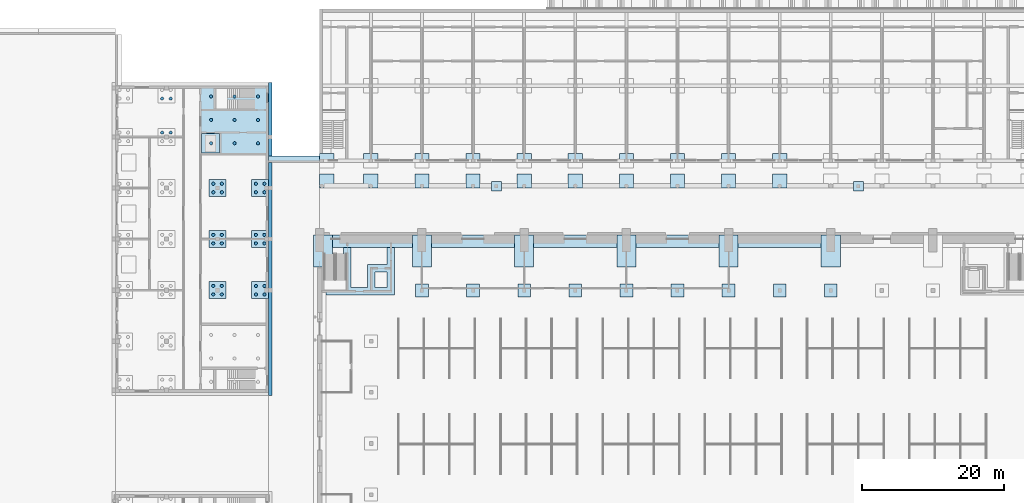
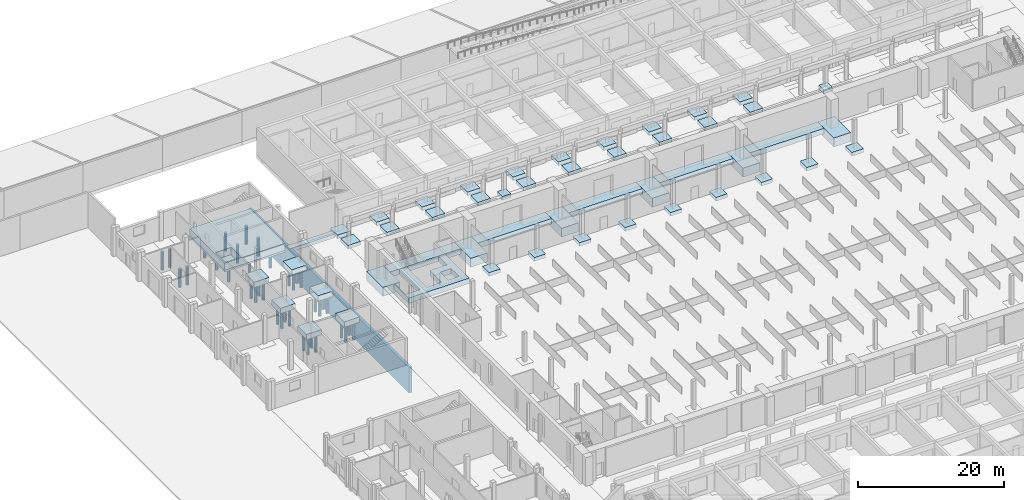
# One storey, part 5 of 73: 53 footings, 37 piles.
"""IFC4 building model written with IfcOpenShell, lengths in metres."""

from ifc_helpers import new_model, si_unit, direction, frame, origin, origin_2d, place, context, subcontext, project, spatial, polyline, rectangle, circle, outline, extrude, material, layer, layer_set, material_profile, profile_set, type_object, element, save


model = new_model("IFC4")

# Units and contexts
model_context = context("Model", 3, precision=1e-05, world=origin(), true_north=direction((0.0, 1.0)))
body_context = subcontext(model_context, "Body", "Model", "MODEL_VIEW")
ifc_project = project(units=[si_unit("LENGTHUNIT", "METRE"), si_unit("AREAUNIT", "SQUARE_METRE"), si_unit("VOLUMEUNIT", "CUBIC_METRE"), si_unit("PLANEANGLEUNIT", "RADIAN"), si_unit("MASSUNIT", "GRAM", prefix="KILO")], contexts=[model_context])

# Site, building, storey
site_placement = place(None, origin())
site = spatial("IfcSite", under=ifc_project, at=site_placement, CompositionType="ELEMENT")
building_placement = place(site_placement, origin())
building = spatial("IfcBuilding", under=site, at=building_placement, Name="Alderwick Market Hall", CompositionType="ELEMENT")
storey_placement = place(building_placement, origin())
storey = spatial("IfcBuildingStorey", under=building, at=storey_placement, Name="LG", CompositionType="ELEMENT", Elevation=0.0)

# Footings
ifc_material_1 = material(Name="Concrete 4000 psi (f'c 28 MPa)", Category="concrete")
footing_type_1 = type_object("IfcFootingType", Name="A Pad Footing 2000x2000x600", PredefinedType="PAD_FOOTING", material=ifc_material_1)
footing_1_placement = place(storey_placement, frame((0.0, 0.0, -0.60009765625)))
element("IfcFooting", 1, at=footing_1_placement, inside=storey, type_object=footing_type_1, Name="A.N.pad.F00", PredefinedType="PAD_FOOTING", context=body_context, shape_type="SweptSolid", body=[
    extrude(outline(polyline([(50.39990234375, 118.050048828125), (52.39990234375, 118.050048828125), (52.39990234375, 120.050048828125), (50.39990234375, 120.050048828125), (50.39990234375, 118.050048828125)])), origin(), (0.0, 0.0, 1.0), 0.60009765625),
])
footing_2_placement = place(storey_placement, frame((0.0, 0.0, -0.60009765625)))
element("IfcFooting", 2, at=footing_2_placement, inside=storey, type_object=footing_type_1, Name="A.N.pad.F01", PredefinedType="PAD_FOOTING", context=body_context, shape_type="SweptSolid", body=[
    extrude(outline(polyline([(56.60009765625, 118.050048828125), (58.60009765625, 118.050048828125), (58.60009765625, 120.050048828125), (56.60009765625, 120.050048828125), (56.60009765625, 118.050048828125)])), origin(), (0.0, 0.0, 1.0), 0.60009765625),
])
footing_3_placement = place(storey_placement, frame((0.0, 0.0, -0.60009765625)))
element("IfcFooting", 3, at=footing_3_placement, inside=storey, type_object=footing_type_1, Name="A.N.pad.F02", PredefinedType="PAD_FOOTING", context=body_context, shape_type="SweptSolid", body=[
    extrude(outline(polyline([(63.800048828125, 118.050048828125), (65.800048828125, 118.050048828125), (65.800048828125, 120.050048828125), (63.800048828125, 120.050048828125), (63.800048828125, 118.050048828125)])), origin(), (0.0, 0.0, 1.0), 0.60009765625),
])
footing_4_placement = place(storey_placement, frame((0.0, 0.0, -0.60009765625)))
element("IfcFooting", 4, at=footing_4_placement, inside=storey, type_object=footing_type_1, Name="A.N.pad.F03", PredefinedType="PAD_FOOTING", context=body_context, shape_type="SweptSolid", body=[
    extrude(outline(polyline([(71.0, 118.050048828125), (73.0, 118.050048828125), (73.0, 120.050048828125), (71.0, 120.050048828125), (71.0, 118.050048828125)])), origin(), (0.0, 0.0, 1.0), 0.60009765625),
])
footing_5_placement = place(storey_placement, frame((0.0, 0.0, -0.60009765625)))
element("IfcFooting", 5, at=footing_5_placement, inside=storey, type_object=footing_type_1, Name="A.N.pad.F04", PredefinedType="PAD_FOOTING", context=body_context, shape_type="SweptSolid", body=[
    extrude(outline(polyline([(78.199951171875, 118.050048828125), (80.199951171875, 118.050048828125), (80.199951171875, 120.050048828125), (78.199951171875, 120.050048828125), (78.199951171875, 118.050048828125)])), origin(), (0.0, 0.0, 1.0), 0.60009765625),
])
footing_6_placement = place(storey_placement, frame((0.0, 0.0, -0.60009765625)))
element("IfcFooting", 6, at=footing_6_placement, inside=storey, type_object=footing_type_1, Name="A.N.pad.F05", PredefinedType="PAD_FOOTING", context=body_context, shape_type="SweptSolid", body=[
    extrude(outline(polyline([(85.39990234375, 118.050048828125), (87.39990234375, 118.050048828125), (87.39990234375, 120.050048828125), (85.39990234375, 120.050048828125), (85.39990234375, 118.050048828125)])), origin(), (0.0, 0.0, 1.0), 0.60009765625),
])
footing_7_placement = place(storey_placement, frame((0.0, 0.0, -0.60009765625)))
element("IfcFooting", 7, at=footing_7_placement, inside=storey, type_object=footing_type_1, Name="A.N.pad.F06", PredefinedType="PAD_FOOTING", context=body_context, shape_type="SweptSolid", body=[
    extrude(outline(polyline([(92.60009765625, 118.050048828125), (94.60009765625, 118.050048828125), (94.60009765625, 120.050048828125), (92.60009765625, 120.050048828125), (92.60009765625, 118.050048828125)])), origin(), (0.0, 0.0, 1.0), 0.60009765625),
])
footing_8_placement = place(storey_placement, frame((0.0, 0.0, -0.60009765625)))
element("IfcFooting", 8, at=footing_8_placement, inside=storey, type_object=footing_type_1, Name="A.N.pad.F07", PredefinedType="PAD_FOOTING", context=body_context, shape_type="SweptSolid", body=[
    extrude(outline(polyline([(99.800048828125, 118.050048828125), (101.800048828125, 118.050048828125), (101.800048828125, 120.050048828125), (99.800048828125, 120.050048828125), (99.800048828125, 118.050048828125)])), origin(), (0.0, 0.0, 1.0), 0.60009765625),
])
footing_9_placement = place(storey_placement, frame((0.0, 0.0, -0.60009765625)))
element("IfcFooting", 9, at=footing_9_placement, inside=storey, type_object=footing_type_1, Name="A.N.pad.F08", PredefinedType="PAD_FOOTING", context=body_context, shape_type="SweptSolid", body=[
    extrude(outline(polyline([(107.0, 118.050048828125), (109.0, 118.050048828125), (109.0, 120.050048828125), (107.0, 120.050048828125), (107.0, 118.050048828125)])), origin(), (0.0, 0.0, 1.0), 0.60009765625),
])
footing_10_placement = place(storey_placement, frame((0.0, 0.0, -0.60009765625)))
element("IfcFooting", 10, at=footing_10_placement, inside=storey, type_object=footing_type_1, Name="A.N.pad.F09", PredefinedType="PAD_FOOTING", context=body_context, shape_type="SweptSolid", body=[
    extrude(outline(polyline([(114.199951171875, 118.050048828125), (116.199951171875, 118.050048828125), (116.199951171875, 120.050048828125), (114.199951171875, 120.050048828125), (114.199951171875, 118.050048828125)])), origin(), (0.0, 0.0, 1.0), 0.60009765625),
])
footing_11_placement = place(storey_placement, frame((0.0, 0.0, -0.60009765625)))
element("IfcFooting", 11, at=footing_11_placement, inside=storey, type_object=footing_type_1, Name="A.N.pad.C00", PredefinedType="PAD_FOOTING", context=body_context, shape_type="SweptSolid", body=[
    extrude(outline(polyline([(50.39990234375, 115.199951171875), (52.39990234375, 115.199951171875), (52.39990234375, 117.199951171875), (50.39990234375, 117.199951171875), (50.39990234375, 115.199951171875)])), origin(), (0.0, 0.0, 1.0), 0.60009765625),
])
footing_12_placement = place(storey_placement, frame((0.0, 0.0, -0.60009765625)))
element("IfcFooting", 12, at=footing_12_placement, inside=storey, type_object=footing_type_1, Name="A.N.pad.C01", PredefinedType="PAD_FOOTING", context=body_context, shape_type="SweptSolid", body=[
    extrude(outline(polyline([(56.60009765625, 115.199951171875), (58.60009765625, 115.199951171875), (58.60009765625, 117.199951171875), (56.60009765625, 117.199951171875), (56.60009765625, 115.199951171875)])), origin(), (0.0, 0.0, 1.0), 0.60009765625),
])
footing_13_placement = place(storey_placement, frame((0.0, 0.0, -0.60009765625)))
element("IfcFooting", 13, at=footing_13_placement, inside=storey, type_object=footing_type_1, Name="A.N.pad.C02", PredefinedType="PAD_FOOTING", context=body_context, shape_type="SweptSolid", body=[
    extrude(outline(polyline([(63.800048828125, 115.199951171875), (65.800048828125, 115.199951171875), (65.800048828125, 117.199951171875), (63.800048828125, 117.199951171875), (63.800048828125, 115.199951171875)])), origin(), (0.0, 0.0, 1.0), 0.60009765625),
])
footing_14_placement = place(storey_placement, frame((0.0, 0.0, -0.60009765625)))
element("IfcFooting", 14, at=footing_14_placement, inside=storey, type_object=footing_type_1, Name="A.N.pad.C03", PredefinedType="PAD_FOOTING", context=body_context, shape_type="SweptSolid", body=[
    extrude(outline(polyline([(71.0, 115.199951171875), (73.0, 115.199951171875), (73.0, 117.199951171875), (71.0, 117.199951171875), (71.0, 115.199951171875)])), origin(), (0.0, 0.0, 1.0), 0.60009765625),
])
footing_15_placement = place(storey_placement, frame((0.0, 0.0, -0.60009765625)))
element("IfcFooting", 15, at=footing_15_placement, inside=storey, type_object=footing_type_1, Name="A.N.pad.C04", PredefinedType="PAD_FOOTING", context=body_context, shape_type="SweptSolid", body=[
    extrude(outline(polyline([(78.199951171875, 115.199951171875), (80.199951171875, 115.199951171875), (80.199951171875, 117.199951171875), (78.199951171875, 117.199951171875), (78.199951171875, 115.199951171875)])), origin(), (0.0, 0.0, 1.0), 0.60009765625),
])
footing_16_placement = place(storey_placement, frame((0.0, 0.0, -0.60009765625)))
element("IfcFooting", 16, at=footing_16_placement, inside=storey, type_object=footing_type_1, Name="A.N.pad.C05", PredefinedType="PAD_FOOTING", context=body_context, shape_type="SweptSolid", body=[
    extrude(outline(polyline([(85.39990234375, 115.199951171875), (87.39990234375, 115.199951171875), (87.39990234375, 117.199951171875), (85.39990234375, 117.199951171875), (85.39990234375, 115.199951171875)])), origin(), (0.0, 0.0, 1.0), 0.60009765625),
])
footing_17_placement = place(storey_placement, frame((0.0, 0.0, -0.60009765625)))
element("IfcFooting", 17, at=footing_17_placement, inside=storey, type_object=footing_type_1, Name="A.N.pad.C06", PredefinedType="PAD_FOOTING", context=body_context, shape_type="SweptSolid", body=[
    extrude(outline(polyline([(92.60009765625, 115.199951171875), (94.60009765625, 115.199951171875), (94.60009765625, 117.199951171875), (92.60009765625, 117.199951171875), (92.60009765625, 115.199951171875)])), origin(), (0.0, 0.0, 1.0), 0.60009765625),
])
footing_18_placement = place(storey_placement, frame((0.0, 0.0, -0.60009765625)))
element("IfcFooting", 18, at=footing_18_placement, inside=storey, type_object=footing_type_1, Name="A.N.pad.C07", PredefinedType="PAD_FOOTING", context=body_context, shape_type="SweptSolid", body=[
    extrude(outline(polyline([(99.800048828125, 115.199951171875), (101.800048828125, 115.199951171875), (101.800048828125, 117.199951171875), (99.800048828125, 117.199951171875), (99.800048828125, 115.199951171875)])), origin(), (0.0, 0.0, 1.0), 0.60009765625),
])
footing_19_placement = place(storey_placement, frame((0.0, 0.0, -0.60009765625)))
element("IfcFooting", 19, at=footing_19_placement, inside=storey, type_object=footing_type_1, Name="A.N.pad.C08", PredefinedType="PAD_FOOTING", context=body_context, shape_type="SweptSolid", body=[
    extrude(outline(polyline([(107.0, 115.199951171875), (109.0, 115.199951171875), (109.0, 117.199951171875), (107.0, 117.199951171875), (107.0, 115.199951171875)])), origin(), (0.0, 0.0, 1.0), 0.60009765625),
])
footing_20_placement = place(storey_placement, frame((0.0, 0.0, -0.60009765625)))
element("IfcFooting", 20, at=footing_20_placement, inside=storey, type_object=footing_type_1, Name="A.N.pad.C09", PredefinedType="PAD_FOOTING", context=body_context, shape_type="SweptSolid", body=[
    extrude(outline(polyline([(114.199951171875, 115.199951171875), (116.199951171875, 115.199951171875), (116.199951171875, 117.199951171875), (114.199951171875, 117.199951171875), (114.199951171875, 115.199951171875)])), origin(), (0.0, 0.0, 1.0), 0.60009765625),
])

# Piles
ifc_material_2 = material(Name="Concrete 5000 psi (f'c 35 MPa)", Category="concrete")
ifc_material_profile = material_profile(ifc_material_2, circle(Radius=0.22509765625, at=origin_2d()), Name="B Bored Pile D450")
ifc_profile_set = profile_set([ifc_material_profile], Name="Concrete 5000 psi (f'c 35 MPa)")
pile_type = type_object("IfcPileType", Name="B Bored Pile D450", PredefinedType="BORED", material=ifc_profile_set)
for number, where, z_axis, x_axis, name in (
    (21, (28.199951171875, 127.800048828125, -0.824951171875), (0.0, 0.0, -1.0), (1.0, 0.0, 0.0), "B.N.cap.072-003.pile1"),
    (22, (29.39990234375, 127.800048828125, -0.824951171875), (0.0, 0.0, -1.0), (1.0, 0.0, 0.0), "B.N.cap.072-003.pile2"),
    (23, (28.199951171875, 123.0, -0.824951171875), (0.0, 0.0, -1.0), (1.0, 0.0, 0.0), "B.N.cap.072-072.pile3"),
    (24, (29.39990234375, 123.0, -0.824951171875), (0.0, 0.0, -1.0), (1.0, 0.0, 0.0), "B.N.cap.072-072.pile4"),
    (25, (35.39990234375, 114.60009765625, -0.824951171875), (0.0, 0.0, -1.0), (1.0, 0.0, 0.0), "B.N.cap.144-144.pile1"),
    (26, (36.60009765625, 114.60009765625, -0.824951171875), (0.0, 0.0, -1.0), (1.0, 0.0, 0.0), "B.N.cap.144-144.pile2"),
    (27, (35.39990234375, 115.800048828125, -0.824951171875), (0.0, 0.0, -1.0), (1.0, 0.0, 0.0), "B.N.cap.144-144.pile3"),
    (28, (36.60009765625, 115.800048828125, -0.824951171875), (0.0, 0.0, -1.0), (1.0, 0.0, 0.0), "B.N.cap.144-144.pile4"),
    (29, (35.39990234375, 107.39990234375, -0.824951171875), (0.0, 0.0, -1.0), (1.0, 0.0, 0.0), "B.N.cap.144-216.pile1"),
    (30, (36.60009765625, 107.39990234375, -0.824951171875), (0.0, 0.0, -1.0), (1.0, 0.0, 0.0), "B.N.cap.144-216.pile2"),
    (31, (35.39990234375, 108.60009765625, -0.824951171875), (0.0, 0.0, -1.0), (1.0, 0.0, 0.0), "B.N.cap.144-216.pile3"),
    (32, (36.60009765625, 108.60009765625, -0.824951171875), (0.0, 0.0, -1.0), (1.0, 0.0, 0.0), "B.N.cap.144-216.pile4"),
    (33, (35.39990234375, 100.199951171875, -0.824951171875), (0.0, 0.0, -1.0), (1.0, 0.0, 0.0), "B.N.cap.144-288.pile1"),
    (34, (36.60009765625, 100.199951171875, -0.824951171875), (0.0, 0.0, -1.0), (1.0, 0.0, 0.0), "B.N.cap.144-288.pile2"),
    (35, (35.39990234375, 101.39990234375, -0.824951171875), (0.0, 0.0, -1.0), (1.0, 0.0, 0.0), "B.N.cap.144-288.pile3"),
    (36, (36.60009765625, 101.39990234375, -0.824951171875), (0.0, 0.0, -1.0), (1.0, 0.0, 0.0), "B.N.cap.144-288.pile4"),
    (37, (41.39990234375, 114.60009765625, -0.824951171875), (0.0, 0.0, -1.0), (1.0, 0.0, 0.0), "B.N.cap.213-144.pile1"),
    (38, (42.60009765625, 114.60009765625, -0.824951171875), (0.0, 0.0, -1.0), (1.0, 0.0, 0.0), "B.N.cap.213-144.pile2"),
    (39, (41.39990234375, 115.800048828125, -0.824951171875), (0.0, 0.0, -1.0), (1.0, 0.0, 0.0), "B.N.cap.213-144.pile3"),
    (40, (42.60009765625, 115.800048828125, -0.824951171875), (0.0, 0.0, -1.0), (1.0, 0.0, 0.0), "B.N.cap.213-144.pile4"),
    (41, (41.39990234375, 107.39990234375, -0.824951171875), (0.0, 0.0, -1.0), (1.0, 0.0, 0.0), "B.N.cap.213-216.pile1"),
    (42, (42.60009765625, 107.39990234375, -0.824951171875), (0.0, 0.0, -1.0), (1.0, 0.0, 0.0), "B.N.cap.213-216.pile2"),
    (43, (41.39990234375, 108.60009765625, -0.824951171875), (0.0, 0.0, -1.0), (1.0, 0.0, 0.0), "B.N.cap.213-216.pile3"),
    (44, (42.60009765625, 108.60009765625, -0.824951171875), (0.0, 0.0, -1.0), (1.0, 0.0, 0.0), "B.N.cap.213-216.pile4"),
    (45, (41.39990234375, 100.199951171875, -0.824951171875), (0.0, 0.0, -1.0), (1.0, 0.0, 0.0), "B.N.cap.213-288.pile1"),
    (46, (42.60009765625, 100.199951171875, -0.824951171875), (0.0, 0.0, -1.0), (1.0, 0.0, 0.0), "B.N.cap.213-288.pile2"),
    (47, (41.39990234375, 101.39990234375, -0.824951171875), (0.0, 0.0, -1.0), (1.0, 0.0, 0.0), "B.N.cap.213-288.pile3"),
    (48, (42.60009765625, 101.39990234375, -0.824951171875), (0.0, 0.0, -1.0), (1.0, 0.0, 0.0), "B.N.cap.213-288.pile4"),
    (49, (35.10009765625, 121.5, -1.425048828125), (0.0, 0.0, -1.0), (1.0, 0.0, 0.0), "B.N.raft.N-1.pile1"),
    (50, (38.39990234375, 121.5, -1.425048828125), (0.0, 0.0, -1.0), (1.0, 0.0, 0.0), "B.N.raft.N-1.pile2"),
    (51, (41.699951171875, 121.5, -1.425048828125), (0.0, 0.0, -1.0), (1.0, 0.0, 0.0), "B.N.raft.N-1.pile3"),
    (52, (35.10009765625, 124.800048828125, -1.425048828125), (0.0, 0.0, -1.0), (1.0, 0.0, 0.0), "B.N.raft.N-1.pile4"),
    (53, (38.39990234375, 124.800048828125, -1.425048828125), (0.0, 0.0, -1.0), (1.0, 0.0, 0.0), "B.N.raft.N-1.pile5"),
    (54, (41.699951171875, 124.800048828125, -1.425048828125), (0.0, 0.0, -1.0), (1.0, 0.0, 0.0), "B.N.raft.N-1.pile6"),
    (55, (35.10009765625, 128.10009765625, -1.425048828125), (0.0, 0.0, -1.0), (1.0, 0.0, 0.0), "B.N.raft.N-1.pile7"),
    (56, (38.39990234375, 128.10009765625, -1.425048828125), (0.0, 0.0, -1.0), (1.0, 0.0, 0.0), "B.N.raft.N-1.pile8"),
    (57, (41.699951171875, 128.10009765625, -1.425048828125), (0.0, 0.0, -1.0), (1.0, 0.0, 0.0), "B.N.raft.N-1.pile9"),
):
    element("IfcPile", number, at=place(storey_placement, frame(where, z_axis=z_axis, x_axis=x_axis)), inside=storey, type_object=pile_type, Name=name, PredefinedType="BORED", context=body_context, shape_type="SweptSolid", body=[
        extrude(circle(Radius=0.22509765625, at=origin_2d()), origin(), (0.0, 0.0, 1.0), 3.074951171875),
    ])

# Footings
footing_type_2 = type_object("IfcFootingType", Name="B Core Raft 1200", PredefinedType="PAD_FOOTING", material=ifc_material_2)
footing_21_placement = place(storey_placement, frame((0.0, 0.0, -1.199951171875)))
element("IfcFooting", 58, at=footing_21_placement, inside=storey, type_object=footing_type_2, Name="Core raft N-1", PredefinedType="PAD_FOOTING", context=body_context, shape_type="SweptSolid", body=[
    extrude(outline(polyline([(33.60009765625, 120.0), (33.60009765625, 129.60009765625), (43.199951171875, 129.60009765625), (43.199951171875, 120.0), (33.60009765625, 120.0)]), holes=[polyline([(36.25, 120.14990234375), (36.25, 122.85009765625), (33.75, 122.85009765625), (33.75, 120.14990234375), (36.25, 120.14990234375)])]), origin(), (0.0, 0.0, 1.0), 1.199951171875),
])
footing_type_3 = type_object("IfcFootingType", Name="B Core Raft 300", PredefinedType="PAD_FOOTING", material=ifc_material_2)
footing_22_placement = place(storey_placement, frame((0.0, 0.0, -1.5)))
element("IfcFooting", 59, at=footing_22_placement, inside=storey, type_object=footing_type_3, Name="Core raft N-1 lower", PredefinedType="PAD_FOOTING", context=body_context, shape_type="SweptSolid", body=[
    extrude(outline(polyline([(33.60009765625, 120.0), (43.199951171875, 120.0), (43.199951171875, 129.60009765625), (33.60009765625, 129.60009765625), (33.60009765625, 120.0)])), origin(), (0.0, 0.0, 1.0), 0.300048828125),
])
footing_type_4 = type_object("IfcFootingType", Name="B Pile Cap 2400x2400x900", PredefinedType="PILE_CAP", material=ifc_material_2)
footing_23_placement = place(storey_placement, frame((0.0, 0.0, -0.89990234375)))
element("IfcFooting", 60, at=footing_23_placement, inside=storey, type_object=footing_type_4, Name="B.N.cap.144-144", PredefinedType="PILE_CAP", context=body_context, shape_type="SweptSolid", body=[
    extrude(outline(polyline([(34.800048828125, 114.0), (37.199951171875, 114.0), (37.199951171875, 116.39990234375), (34.800048828125, 116.39990234375), (34.800048828125, 114.0)])), origin(), (0.0, 0.0, 1.0), 0.89990234375),
])
footing_24_placement = place(storey_placement, frame((0.0, 0.0, -0.89990234375)))
element("IfcFooting", 61, at=footing_24_placement, inside=storey, type_object=footing_type_4, Name="B.N.cap.144-216", PredefinedType="PILE_CAP", context=body_context, shape_type="SweptSolid", body=[
    extrude(outline(polyline([(34.800048828125, 106.800048828125), (37.199951171875, 106.800048828125), (37.199951171875, 109.199951171875), (34.800048828125, 109.199951171875), (34.800048828125, 106.800048828125)])), origin(), (0.0, 0.0, 1.0), 0.89990234375),
])
footing_25_placement = place(storey_placement, frame((0.0, 0.0, -0.89990234375)))
element("IfcFooting", 62, at=footing_25_placement, inside=storey, type_object=footing_type_4, Name="B.N.cap.144-288", PredefinedType="PILE_CAP", context=body_context, shape_type="SweptSolid", body=[
    extrude(outline(polyline([(34.800048828125, 99.60009765625), (37.199951171875, 99.60009765625), (37.199951171875, 102.0), (34.800048828125, 102.0), (34.800048828125, 99.60009765625)])), origin(), (0.0, 0.0, 1.0), 0.89990234375),
])
footing_26_placement = place(storey_placement, frame((0.0, 0.0, -0.89990234375)))
element("IfcFooting", 63, at=footing_26_placement, inside=storey, type_object=footing_type_4, Name="B.N.cap.213-144", PredefinedType="PILE_CAP", context=body_context, shape_type="SweptSolid", body=[
    extrude(outline(polyline([(40.800048828125, 114.0), (43.199951171875, 114.0), (43.199951171875, 116.39990234375), (40.800048828125, 116.39990234375), (40.800048828125, 114.0)])), origin(), (0.0, 0.0, 1.0), 0.89990234375),
])
footing_27_placement = place(storey_placement, frame((0.0, 0.0, -0.89990234375)))
element("IfcFooting", 64, at=footing_27_placement, inside=storey, type_object=footing_type_4, Name="B.N.cap.213-216", PredefinedType="PILE_CAP", context=body_context, shape_type="SweptSolid", body=[
    extrude(outline(polyline([(40.800048828125, 106.800048828125), (43.199951171875, 106.800048828125), (43.199951171875, 109.199951171875), (40.800048828125, 109.199951171875), (40.800048828125, 106.800048828125)])), origin(), (0.0, 0.0, 1.0), 0.89990234375),
])
footing_28_placement = place(storey_placement, frame((0.0, 0.0, -0.89990234375)))
element("IfcFooting", 65, at=footing_28_placement, inside=storey, type_object=footing_type_4, Name="B.N.cap.213-288", PredefinedType="PILE_CAP", context=body_context, shape_type="SweptSolid", body=[
    extrude(outline(polyline([(40.800048828125, 99.60009765625), (43.199951171875, 99.60009765625), (43.199951171875, 102.0), (40.800048828125, 102.0), (40.800048828125, 99.60009765625)])), origin(), (0.0, 0.0, 1.0), 0.89990234375),
])
footing_type_5 = type_object("IfcFootingType", Name="H Pad footing 1800x1800x600", PredefinedType="PAD_FOOTING", material=ifc_material_1)
footing_29_placement = place(storey_placement, frame((0.0, 0.0, -0.60009765625)))
element("IfcFooting", 66, at=footing_29_placement, inside=storey, type_object=footing_type_5, Name="Pad footing", PredefinedType="PAD_FOOTING", context=body_context, shape_type="SweptSolid", body=[
    extrude(outline(polyline([(63.89990234375, 99.860107421875), (63.89990234375, 101.659912109375), (65.699951171875, 101.659912109375), (65.699951171875, 99.860107421875), (63.89990234375, 99.860107421875)])), origin(), (0.0, 0.0, 1.0), 0.60009765625),
])
footing_30_placement = place(storey_placement, frame((0.0, 0.0, -0.60009765625)))
element("IfcFooting", 67, at=footing_30_placement, inside=storey, type_object=footing_type_5, Name="Pad footing", PredefinedType="PAD_FOOTING", context=body_context, shape_type="SweptSolid", body=[
    extrude(outline(polyline([(71.10009765625, 99.860107421875), (71.10009765625, 101.659912109375), (72.89990234375, 101.659912109375), (72.89990234375, 99.860107421875), (71.10009765625, 99.860107421875)])), origin(), (0.0, 0.0, 1.0), 0.60009765625),
])
footing_31_placement = place(storey_placement, frame((0.0, 0.0, -0.60009765625)))
element("IfcFooting", 68, at=footing_31_placement, inside=storey, type_object=footing_type_5, Name="Pad footing", PredefinedType="PAD_FOOTING", context=body_context, shape_type="SweptSolid", body=[
    extrude(outline(polyline([(78.300048828125, 99.860107421875), (78.300048828125, 101.659912109375), (80.10009765625, 101.659912109375), (80.10009765625, 99.860107421875), (78.300048828125, 99.860107421875)])), origin(), (0.0, 0.0, 1.0), 0.60009765625),
])
footing_32_placement = place(storey_placement, frame((0.0, 0.0, -0.60009765625)))
element("IfcFooting", 69, at=footing_32_placement, inside=storey, type_object=footing_type_5, Name="Pad footing", PredefinedType="PAD_FOOTING", context=body_context, shape_type="SweptSolid", body=[
    extrude(outline(polyline([(85.5, 99.860107421875), (85.5, 101.659912109375), (87.300048828125, 101.659912109375), (87.300048828125, 99.860107421875), (85.5, 99.860107421875)])), origin(), (0.0, 0.0, 1.0), 0.60009765625),
])
footing_33_placement = place(storey_placement, frame((0.0, 0.0, -0.60009765625)))
element("IfcFooting", 70, at=footing_33_placement, inside=storey, type_object=footing_type_5, Name="Pad footing", PredefinedType="PAD_FOOTING", context=body_context, shape_type="SweptSolid", body=[
    extrude(outline(polyline([(92.699951171875, 99.860107421875), (92.699951171875, 101.659912109375), (94.5, 101.659912109375), (94.5, 99.860107421875), (92.699951171875, 99.860107421875)])), origin(), (0.0, 0.0, 1.0), 0.60009765625),
])
footing_34_placement = place(storey_placement, frame((0.0, 0.0, -0.60009765625)))
element("IfcFooting", 71, at=footing_34_placement, inside=storey, type_object=footing_type_5, Name="Pad footing", PredefinedType="PAD_FOOTING", context=body_context, shape_type="SweptSolid", body=[
    extrude(outline(polyline([(99.89990234375, 99.860107421875), (99.89990234375, 101.659912109375), (101.699951171875, 101.659912109375), (101.699951171875, 99.860107421875), (99.89990234375, 99.860107421875)])), origin(), (0.0, 0.0, 1.0), 0.60009765625),
])
footing_35_placement = place(storey_placement, frame((0.0, 0.0, -0.60009765625)))
element("IfcFooting", 72, at=footing_35_placement, inside=storey, type_object=footing_type_5, Name="Pad footing", PredefinedType="PAD_FOOTING", context=body_context, shape_type="SweptSolid", body=[
    extrude(outline(polyline([(107.10009765625, 99.860107421875), (107.10009765625, 101.659912109375), (108.89990234375, 101.659912109375), (108.89990234375, 99.860107421875), (107.10009765625, 99.860107421875)])), origin(), (0.0, 0.0, 1.0), 0.60009765625),
])
footing_36_placement = place(storey_placement, frame((0.0, 0.0, -0.60009765625)))
element("IfcFooting", 73, at=footing_36_placement, inside=storey, type_object=footing_type_5, Name="Pad footing", PredefinedType="PAD_FOOTING", context=body_context, shape_type="SweptSolid", body=[
    extrude(outline(polyline([(114.300048828125, 99.860107421875), (114.300048828125, 101.659912109375), (116.10009765625, 101.659912109375), (116.10009765625, 99.860107421875), (114.300048828125, 99.860107421875)])), origin(), (0.0, 0.0, 1.0), 0.60009765625),
])
footing_37_placement = place(storey_placement, frame((0.0, 0.0, -0.60009765625)))
element("IfcFooting", 74, at=footing_37_placement, inside=storey, type_object=footing_type_5, Name="Pad footing", PredefinedType="PAD_FOOTING", context=body_context, shape_type="SweptSolid", body=[
    extrude(outline(polyline([(121.5, 99.860107421875), (121.5, 101.659912109375), (123.300048828125, 101.659912109375), (123.300048828125, 99.860107421875), (121.5, 99.860107421875)])), origin(), (0.0, 0.0, 1.0), 0.60009765625),
])
footing_type_6 = type_object("IfcFootingType", Name="H Pad footing 2700x4500x1500", PredefinedType="PAD_FOOTING", material=ifc_material_1)
for number, where, z_axis, x_axis, name in (
    (75, (50.85009765625, 106.35009765625, -1.5), (0.0, 0.0, 1.0), (1.0, 0.0, 0.0), "Pier footing N1"),
    (76, (64.800048828125, 106.35009765625, -1.5), (0.0, 0.0, 1.0), (1.0, 0.0, 0.0), "Pier footing N2"),
    (77, (79.199951171875, 106.35009765625, -1.5), (0.0, 0.0, 1.0), (1.0, 0.0, 0.0), "Pier footing N3"),
    (78, (93.60009765625, 106.35009765625, -1.5), (0.0, 0.0, 1.0), (1.0, 0.0, 0.0), "Pier footing N4"),
    (79, (108.0, 106.35009765625, -1.5), (0.0, 0.0, 1.0), (1.0, 0.0, 0.0), "Pier footing N5"),
    (80, (122.39990234375, 106.35009765625, -1.5), (0.0, 0.0, 1.0), (1.0, 0.0, 0.0), "Pier footing N6"),
):
    element("IfcFooting", number, at=place(storey_placement, frame(where, z_axis=z_axis, x_axis=x_axis)), inside=storey, type_object=footing_type_6, Name=name, PredefinedType="PAD_FOOTING", context=body_context, shape_type="SweptSolid", body=[
        extrude(rectangle(XDim=2.699951171875, YDim=4.5, at=origin_2d()), origin(), (0.0, 0.0, 1.0), 1.5),
    ])
footing_type_7 = type_object("IfcFootingType", Name="H Strip footing 900", PredefinedType="STRIP_FOOTING", material=ifc_material_1)
footing_38_placement = place(storey_placement, frame((0.0, 0.0, -0.89990234375)))
element("IfcFooting", 81, at=footing_38_placement, inside=storey, type_object=footing_type_7, Name="Strip footing", PredefinedType="STRIP_FOOTING", context=body_context, shape_type="SweptSolid", body=[
    extrude(outline(polyline([(63.449951171875, 108.60009765625), (63.449951171875, 106.800048828125), (52.199951171875, 106.800048828125), (52.199951171875, 108.60009765625), (63.449951171875, 108.60009765625)])), origin(), (0.0, 0.0, 1.0), 0.89990234375),
])
footing_39_placement = place(storey_placement, frame((0.0, 0.0, -0.89990234375)))
element("IfcFooting", 82, at=footing_39_placement, inside=storey, type_object=footing_type_7, Name="Strip footing", PredefinedType="STRIP_FOOTING", context=body_context, shape_type="SweptSolid", body=[
    extrude(outline(polyline([(77.85009765625, 108.60009765625), (77.85009765625, 106.800048828125), (66.14990234375, 106.800048828125), (66.14990234375, 108.60009765625), (77.85009765625, 108.60009765625)])), origin(), (0.0, 0.0, 1.0), 0.89990234375),
])
footing_40_placement = place(storey_placement, frame((0.0, 0.0, -0.89990234375)))
element("IfcFooting", 83, at=footing_40_placement, inside=storey, type_object=footing_type_7, Name="Strip footing", PredefinedType="STRIP_FOOTING", context=body_context, shape_type="SweptSolid", body=[
    extrude(outline(polyline([(92.25, 108.60009765625), (92.25, 106.800048828125), (80.550048828125, 106.800048828125), (80.550048828125, 108.60009765625), (92.25, 108.60009765625)])), origin(), (0.0, 0.0, 1.0), 0.89990234375),
])
footing_41_placement = place(storey_placement, frame((0.0, 0.0, -0.89990234375)))
element("IfcFooting", 84, at=footing_41_placement, inside=storey, type_object=footing_type_7, Name="Strip footing", PredefinedType="STRIP_FOOTING", context=body_context, shape_type="SweptSolid", body=[
    extrude(outline(polyline([(106.64990234375, 108.60009765625), (106.64990234375, 106.800048828125), (94.949951171875, 106.800048828125), (94.949951171875, 108.60009765625), (106.64990234375, 108.60009765625)])), origin(), (0.0, 0.0, 1.0), 0.89990234375),
])
footing_42_placement = place(storey_placement, frame((0.0, 0.0, -0.89990234375)))
element("IfcFooting", 85, at=footing_42_placement, inside=storey, type_object=footing_type_7, Name="Strip footing", PredefinedType="STRIP_FOOTING", context=body_context, shape_type="SweptSolid", body=[
    extrude(outline(polyline([(121.050048828125, 108.60009765625), (121.050048828125, 106.800048828125), (109.35009765625, 106.800048828125), (109.35009765625, 108.60009765625), (121.050048828125, 108.60009765625)])), origin(), (0.0, 0.0, 1.0), 0.89990234375),
])
footing_43_placement = place(storey_placement, frame((0.0, 0.0, -0.89990234375)))
element("IfcFooting", 86, at=footing_43_placement, inside=storey, type_object=footing_type_7, Name="Core wall footing", PredefinedType="STRIP_FOOTING", context=body_context, shape_type="SweptSolid", body=[
    extrude(outline(polyline([(53.75, 101.159912109375), (53.75, 106.800048828125), (54.800048828125, 106.800048828125), (54.800048828125, 101.159912109375), (57.14990234375, 101.159912109375), (57.14990234375, 104.409912109375), (59.89990234375, 104.409912109375), (59.89990234375, 106.800048828125), (60.949951171875, 106.800048828125), (60.949951171875, 100.110107421875), (51.300048828125, 100.110107421875), (51.300048828125, 104.10009765625), (51.39990234375, 104.10009765625), (51.39990234375, 101.159912109375), (53.75, 101.159912109375)]), holes=[polyline([(58.199951171875, 103.360107421875), (58.199951171875, 101.159912109375), (59.89990234375, 101.159912109375), (59.89990234375, 103.360107421875), (58.199951171875, 103.360107421875)])]), origin(), (0.0, 0.0, 1.0), 0.89990234375),
])
ifc_layer = layer(ifc_material_2, 0.60009765625)
ifc_layer_set = layer_set([ifc_layer], Name="Concrete 5000 psi (f'c 35 MPa)")
footing_type_8 = type_object("IfcFootingType", Name="P Pad Footing 1400x1400x600", PredefinedType="PAD_FOOTING", material=ifc_layer_set)
footing_44_placement = place(storey_placement, frame((0.0, 0.0, -0.60009765625)))
element("IfcFooting", 87, at=footing_44_placement, inside=storey, type_object=footing_type_8, Name="P.P1.pier.b.pad", PredefinedType="PAD_FOOTING", context=body_context, shape_type="SweptSolid", body=[
    extrude(outline(polyline([(74.60009765625, 114.75), (76.0, 114.75), (76.0, 116.14990234375), (74.60009765625, 116.14990234375), (74.60009765625, 114.75)])), origin(), (0.0, 0.0, 1.0), 0.60009765625),
])
footing_45_placement = place(storey_placement, frame((0.0, 0.0, -0.60009765625)))
element("IfcFooting", 88, at=footing_45_placement, inside=storey, type_object=footing_type_8, Name="P.P2.pier.a.pad", PredefinedType="PAD_FOOTING", context=body_context, shape_type="SweptSolid", body=[
    extrude(outline(polyline([(125.60009765625, 114.75), (127.0, 114.75), (127.0, 116.14990234375), (125.60009765625, 116.14990234375), (125.60009765625, 114.75)])), origin(), (0.0, 0.0, 1.0), 0.60009765625),
])
footing_type_9 = type_object("IfcFootingType", Name="S Perimeter Pile Wall 450", PredefinedType="STRIP_FOOTING", material=ifc_material_2)
footing_46_placement = place(storey_placement, frame((0.0, 0.0, -4.5)))
element("IfcFooting", 89, at=footing_46_placement, inside=storey, type_object=footing_type_9, Name="Pile wall Ne 06", PredefinedType="STRIP_FOOTING", context=body_context, shape_type="SweptSolid", body=[
    extrude(outline(polyline([(43.64990234375, 118.800048828125), (43.2099609375, 118.800048828125), (43.2099609375, 119.699951171875), (43.64990234375, 119.699951171875), (43.64990234375, 130.050048828125), (43.199951171875, 130.050048828125), (43.199951171875, 129.60009765625), (43.199951171875, 120.0), (43.199951171875, 116.39990234375), (43.199951171875, 114.0), (43.199951171875, 109.199951171875), (43.199951171875, 106.800048828125), (43.199951171875, 102.0), (43.199951171875, 99.60009765625), (43.199951171875, 96.0), (43.199951171875, 86.39990234375), (43.199951171875, 85.949951171875), (43.64990234375, 85.949951171875), (43.64990234375, 118.800048828125)])), origin(), (0.0, 0.0, 1.0), 4.25),
])
footing_type_10 = type_object("IfcFootingType", Name="S Strip Footing 900", PredefinedType="STRIP_FOOTING", material=ifc_material_1)
footing_47_placement = place(storey_placement, frame((0.0, 0.0, -0.85009765625)))
element("IfcFooting", 90, at=footing_47_placement, inside=storey, type_object=footing_type_10, Name="S.efoot.05a.1", PredefinedType="STRIP_FOOTING", context=body_context, shape_type="SweptSolid", body=[
    extrude(outline(polyline([(50.389892578125, 119.699951171875), (43.2099609375, 119.699951171875), (43.2099609375, 118.800048828125), (50.389892578125, 118.800048828125), (50.389892578125, 119.699951171875)])), origin(), (0.0, 0.0, 1.0), 0.60009765625),
])

save(model, "model.ifc")
